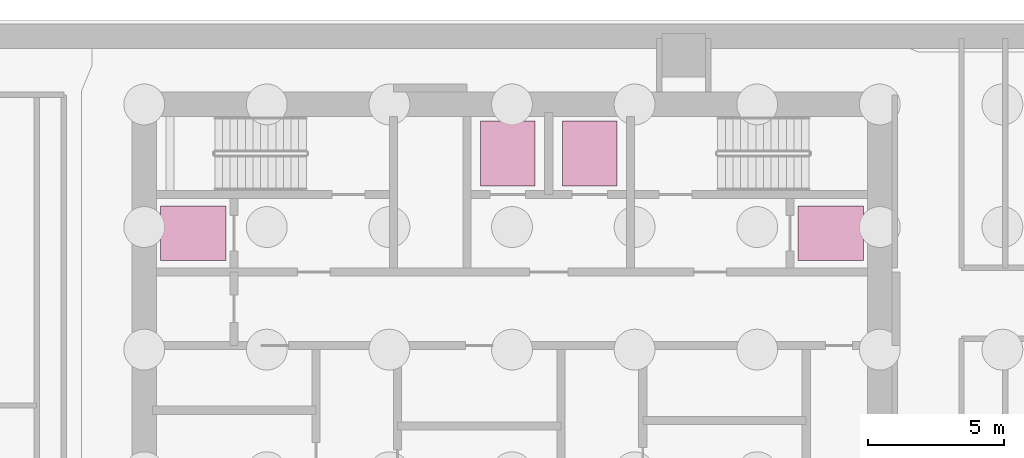
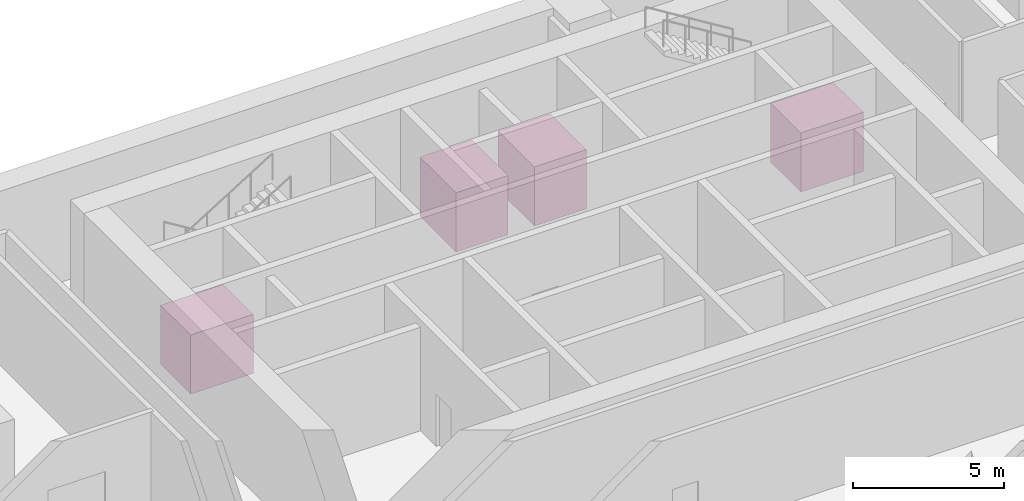
# One storey, part 13 of 13: 4 transport elements.
"""IFC4 building model written with IfcOpenShell, lengths in metres."""

from ifc_helpers import new_model, si_unit, direction, frame, origin, origin_2d, place, context, subcontext, project, spatial, rectangle, extrude, material, type_object, element, save


model = new_model("IFC4")

# Units and contexts
model_context = context("Model", 3, precision=1e-05, world=origin(), true_north=direction((0.0, 1.0)))
body_context = subcontext(model_context, "Body", "Model", "MODEL_VIEW")
ifc_project = project(units=[si_unit("LENGTHUNIT", "METRE"), si_unit("AREAUNIT", "SQUARE_METRE"), si_unit("VOLUMEUNIT", "CUBIC_METRE"), si_unit("PLANEANGLEUNIT", "RADIAN"), si_unit("MASSUNIT", "GRAM", prefix="KILO")], contexts=[model_context])

# Site, building, storey
site_placement = place(None, origin())
site = spatial("IfcSite", under=ifc_project, at=site_placement, CompositionType="ELEMENT")
building_placement = place(site_placement, origin())
building = spatial("IfcBuilding", under=site, at=building_placement, Name="Ogive Portal Towers", CompositionType="ELEMENT")
storey_placement = place(building_placement, frame((0.0, 0.0, -9.0)))
storey = spatial("IfcBuildingStorey", under=building, at=storey_placement, Name="B2", CompositionType="ELEMENT", Elevation=-9.0)

# Transport elements
ifc_material = material(Name="Stainless steel car", Category="steel")
transport_element_type_1 = type_object("IfcTransportElementType", Name="LT-FF", PredefinedType="ELEVATOR", material=ifc_material)
for number, where, z_axis, x_axis, name in (
    (1, (33.300048828125, 34.77490234375, 0.0), (0.0, 0.0, 1.0), (1.0, 0.0, 0.0), "Lift FF-A1"),
    (2, (56.699951171875, 34.77490234375, 0.0), (0.0, 0.0, 1.0), (1.0, 0.0, 0.0), "Lift FF-A2"),
):
    element("IfcTransportElement", number, at=place(storey_placement, frame(where, z_axis=z_axis, x_axis=x_axis)), inside=storey, type_object=transport_element_type_1, Name=name, PredefinedType="ELEVATOR", context=body_context, shape_type="SweptSolid", body=[
        extrude(rectangle(XDim=2.39990234375, YDim=2.0, at=origin_2d()), origin(), (0.0, 0.0, 1.0), 2.39990234375),
    ])
transport_element_type_2 = type_object("IfcTransportElementType", Name="LT-SV", PredefinedType="ELEVATOR", material=ifc_material)
for number, where, z_axis, x_axis, name in (
    (3, (44.85009765625, 37.699951171875, 0.0), (0.0, 0.0, 1.0), (1.0, 0.0, 0.0), "Lift SV1"),
    (4, (47.85009765625, 37.699951171875, 0.0), (0.0, 0.0, 1.0), (1.0, 0.0, 0.0), "Lift SV2"),
):
    element("IfcTransportElement", number, at=place(storey_placement, frame(where, z_axis=z_axis, x_axis=x_axis)), inside=storey, type_object=transport_element_type_2, Name=name, PredefinedType="ELEVATOR", context=body_context, shape_type="SweptSolid", body=[
        extrude(rectangle(XDim=2.0, YDim=2.39990234375, at=origin_2d()), origin(), (0.0, 0.0, 1.0), 2.39990234375),
    ])

save(model, "model.ifc")
